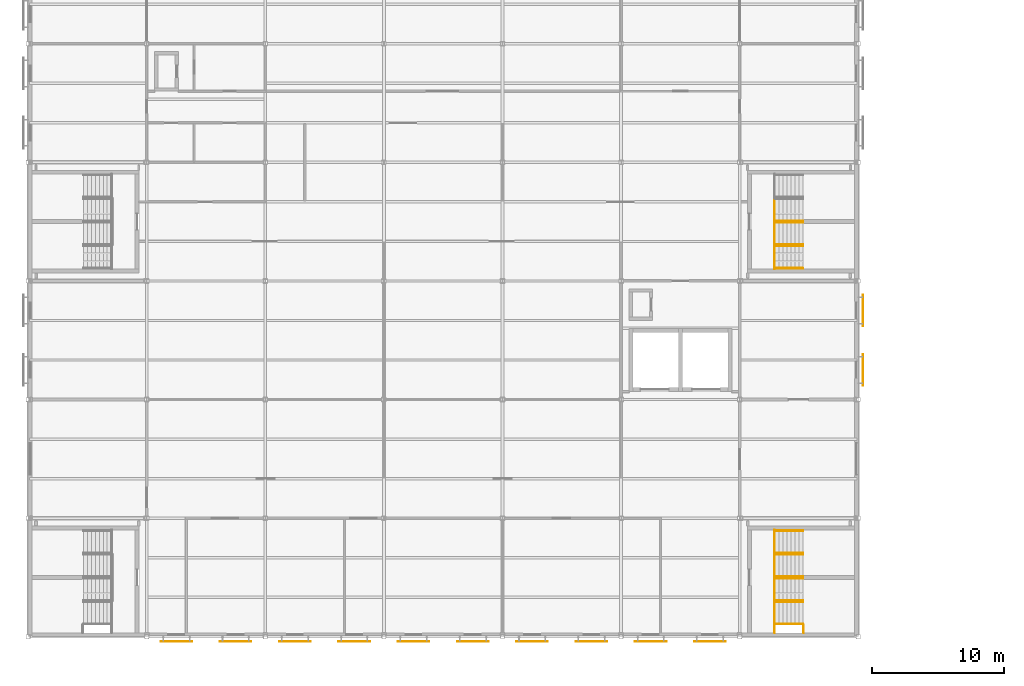
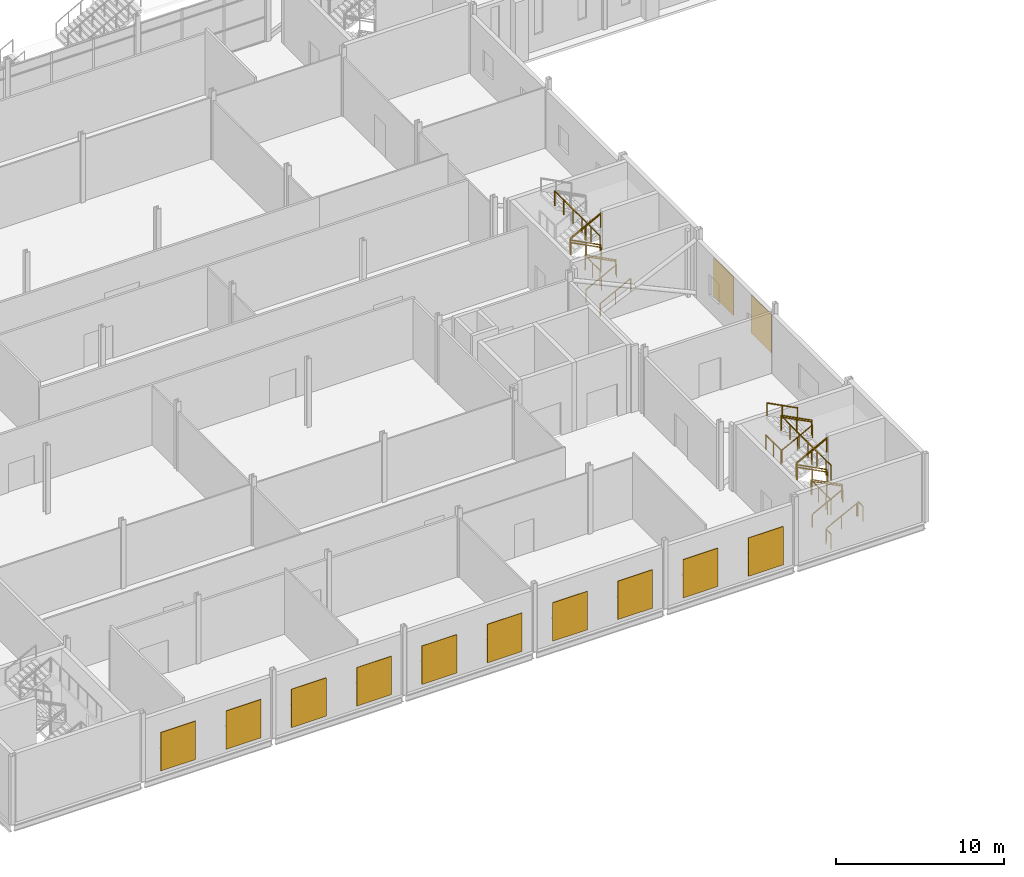
# One storey, part 107 of 112: 29 railings, 12 shading devices.
"""IFC4 building model written with IfcOpenShell, lengths in metres."""

from ifc_helpers import new_model, si_unit, direction, frame, origin, origin_2d, place, context, subcontext, project, spatial, rectangle, circle, extrude, material, layer, layer_set, type_object, element, save


model = new_model("IFC4")

# Units and contexts
model_context = context("Model", 3, precision=1e-05, world=origin(), true_north=direction((0.0, 1.0)))
body_context = subcontext(model_context, "Body", "Model", "MODEL_VIEW")
ifc_project = project(units=[si_unit("LENGTHUNIT", "METRE"), si_unit("AREAUNIT", "SQUARE_METRE"), si_unit("VOLUMEUNIT", "CUBIC_METRE"), si_unit("PLANEANGLEUNIT", "RADIAN"), si_unit("MASSUNIT", "GRAM", prefix="KILO")], contexts=[model_context])

# Site, building, storey
site_placement = place(None, origin())
site = spatial("IfcSite", under=ifc_project, at=site_placement, CompositionType="ELEMENT")
building_placement = place(site_placement, origin())
building = spatial("IfcBuilding", under=site, at=building_placement, Name="Shorebreak Coast Museum", CompositionType="ELEMENT")
storey_placement = place(building_placement, frame((0.0, 0.0, 6.0)))
storey = spatial("IfcBuildingStorey", under=building, at=storey_placement, Name="L01", CompositionType="ELEMENT", Elevation=6.0)

# Shading devices
ifc_material_1 = material(Name="Aluminium", Category="aluminium")
ifc_layer = layer(ifc_material_1, 0.0400390625)
ifc_layer_set = layer_set([ifc_layer], Name="Aluminium")
shading_device_type = type_object("IfcShadingDeviceType", Name="Perforated aluminium screen 2400 x 2800", PredefinedType="USERDEFINED", material=ifc_layer_set)
for number, where, z_axis, x_axis, name in (
    (1, (117.3701171875, 20.25, 0.5498046875), (0.0, 0.0, 1.0), (1.0, 0.0, 0.0), "Perforated screen L01 E1"),
    (2, (117.3701171875, 24.75, 0.5498046875), (0.0, 0.0, 1.0), (1.0, 0.0, 0.0), "Perforated screen L01 E2"),
):
    element("IfcShadingDevice", number, at=place(storey_placement, frame(where, z_axis=z_axis, x_axis=x_axis)), inside=storey, type_object=shading_device_type, Name=name, ObjectType="LOUVRE", PredefinedType="USERDEFINED", context=body_context, shape_type="SweptSolid", body=[
        extrude(rectangle(XDim=0.0400390625, YDim=2.39990234375, at=origin_2d()), origin(), (0.0, 0.0, 1.0), 2.800048828125),
    ])
for number, where, z_axis, x_axis, name in (
    (3, (65.25, -0.3701171875, 0.5498046875), (0.0, 0.0, 1.0), (1.0, 0.0, 0.0), "Perforated screen L01 S7"),
    (4, (69.75, -0.3701171875, 0.5498046875), (0.0, 0.0, 1.0), (1.0, 0.0, 0.0), "Perforated screen L01 S8"),
    (5, (74.25, -0.3701171875, 0.5498046875), (0.0, 0.0, 1.0), (1.0, 0.0, 0.0), "Perforated screen L01 S9"),
    (6, (78.75, -0.3701171875, 0.5498046875), (0.0, 0.0, 1.0), (1.0, 0.0, 0.0), "Perforated screen L01 S10"),
    (7, (83.25, -0.3701171875, 0.5498046875), (0.0, 0.0, 1.0), (1.0, 0.0, 0.0), "Perforated screen L01 S11"),
    (8, (87.75, -0.3701171875, 0.5498046875), (0.0, 0.0, 1.0), (1.0, 0.0, 0.0), "Perforated screen L01 S12"),
    (9, (92.25, -0.3701171875, 0.5498046875), (0.0, 0.0, 1.0), (1.0, 0.0, 0.0), "Perforated screen L01 S13"),
    (10, (96.75, -0.3701171875, 0.5498046875), (0.0, 0.0, 1.0), (1.0, 0.0, 0.0), "Perforated screen L01 S14"),
    (11, (101.25, -0.3701171875, 0.5498046875), (0.0, 0.0, 1.0), (1.0, 0.0, 0.0), "Perforated screen L01 S15"),
    (12, (105.75, -0.3701171875, 0.5498046875), (0.0, 0.0, 1.0), (1.0, 0.0, 0.0), "Perforated screen L01 S16"),
):
    element("IfcShadingDevice", number, at=place(storey_placement, frame(where, z_axis=z_axis, x_axis=x_axis)), inside=storey, type_object=shading_device_type, Name=name, ObjectType="LOUVRE", PredefinedType="USERDEFINED", context=body_context, shape_type="SweptSolid", body=[
        extrude(rectangle(XDim=2.39990234375, YDim=0.0400390625, at=origin_2d()), origin(), (0.0, 0.0, 1.0), 2.800048828125),
    ])

# Railings
ifc_material_2 = material(Name="Steel Grade 300", Category="steel")
railing_type_1 = type_object("IfcRailingType", Name="Stair guard 1100", PredefinedType="GUARDRAIL", material=ifc_material_2)
for number, where, name in (
    (13, (110.64990234375, 0.89990234375, 2.5), "Guard ST12 L01 landing mid1"),
    (14, (110.64990234375, 6.300048828125, 2.5), "Guard ST12 L01 landing mid1"),
):
    element("IfcRailing", number, at=place(storey_placement, frame(where)), inside=storey, type_object=railing_type_1, Name=name, PredefinedType="GUARDRAIL", context=body_context, shape_type="SweptSolid", body=[
        extrude(circle(Radius=0.02490234375, at=origin_2d()), frame((0.0, 0.0, 1.0751953125), z_axis=(0.0, 1.0, 0.0), x_axis=(-1.0, 0.0, 0.0)), (0.0, 0.0, 1.0), 1.800048828125),
        extrude(circle(Radius=0.02001953125, at=origin_2d()), origin(), (0.0, 0.0, 1.0), 1.050048828125),
        extrude(circle(Radius=0.02001953125, at=origin_2d()), frame((0.0, 0.89990234375, 0.0)), (0.0, 0.0, 1.0), 1.050048828125),
        extrude(circle(Radius=0.02001953125, at=origin_2d()), frame((0.0, 1.800048828125, 0.0)), (0.0, 0.0, 1.0), 1.050048828125),
    ])
railing_1_placement = place(storey_placement, frame((110.64990234375, 0.89990234375, 5.0)))
element("IfcRailing", 15, at=railing_1_placement, inside=storey, type_object=railing_type_1, Name="Guard ST12 L01 landing top", PredefinedType="GUARDRAIL", context=body_context, shape_type="SweptSolid", body=[
    extrude(circle(Radius=0.02490234375, at=origin_2d()), frame((0.0, 0.0, 1.0751953125), z_axis=(0.0, 1.0, 0.0), x_axis=(-1.0, 0.0, 0.0)), (0.0, 0.0, 1.0), 5.400146484375),
    extrude(circle(Radius=0.02001953125, at=origin_2d()), origin(), (0.0, 0.0, 1.0), 1.050048828125),
    extrude(circle(Radius=0.02001953125, at=origin_2d()), frame((0.0, 1.080078125, 0.0)), (0.0, 0.0, 1.0), 1.050048828125),
    extrude(circle(Radius=0.02001953125, at=origin_2d()), frame((0.0, 2.16015625, 0.0)), (0.0, 0.0, 1.0), 1.050048828125),
    extrude(circle(Radius=0.02001953125, at=origin_2d()), frame((0.0, 3.239990234375, 0.0)), (0.0, 0.0, 1.0), 1.050048828125),
    extrude(circle(Radius=0.02001953125, at=origin_2d()), frame((0.0, 4.320068359375, 0.0)), (0.0, 0.0, 1.0), 1.050048828125),
    extrude(circle(Radius=0.02001953125, at=origin_2d()), frame((0.0, 5.400146484375, 0.0)), (0.0, 0.0, 1.0), 1.050048828125),
])
for number, where, name in (
    (16, (110.64990234375, 0.300048828125, 0.0), "Guard ST12 L01 landing strip"),
    (17, (110.64990234375, 0.300048828125, 2.5), "Guard ST12 L01 landing strip"),
    (18, (112.85009765625, 0.300048828125, 1.25), "Guard ST12 L01 landing strip"),
    (19, (110.64990234375, 0.300048828125, 5.0), "Guard ST12 L01 landing strip"),
):
    element("IfcRailing", number, at=place(storey_placement, frame(where)), inside=storey, type_object=railing_type_1, Name=name, PredefinedType="GUARDRAIL", context=body_context, shape_type="SweptSolid", body=[
        extrude(circle(Radius=0.02490234375, at=origin_2d()), frame((0.0, 0.0, 1.0751953125), z_axis=(0.0, 1.0, 0.0), x_axis=(-1.0, 0.0, 0.0)), (0.0, 0.0, 1.0), 0.599853515625),
        extrude(circle(Radius=0.02001953125, at=origin_2d()), origin(), (0.0, 0.0, 1.0), 1.050048828125),
        extrude(circle(Radius=0.02001953125, at=origin_2d()), frame((0.0, 0.599853515625, 0.0)), (0.0, 0.0, 1.0), 1.050048828125),
    ])
for number, where, name in (
    (20, (112.800048828125, 2.699951171875, 1.40625), "Guard ST12-L01 well 1"),
    (21, (112.800048828125, 6.300048828125, 3.90625), "Guard ST12-L01 well 2"),
    (22, (112.800048828125, 4.5, 1.40625), "Guard ST12-L01 side 1"),
):
    element("IfcRailing", number, at=place(storey_placement, frame(where)), inside=storey, type_object=railing_type_1, Name=name, PredefinedType="GUARDRAIL", context=body_context, shape_type="SweptSolid", body=[
        extrude(circle(Radius=0.02490234375, at=origin_2d()), frame((0.0, 0.0, 1.0751953125), z_axis=(-0.8869228845, 0.0, 0.461917521804), x_axis=(0.0, -1.0, 0.0)), (0.0, 0.0, 1.0), 2.367919921875),
        extrude(circle(Radius=0.02001953125, at=origin_2d()), origin(), (0.0, 0.0, 1.0), 1.050048828125),
        extrude(circle(Radius=0.02001953125, at=origin_2d()), frame((-1.050048828125, 0.0, 0.546875)), (0.0, 0.0, 1.0), 1.050048828125),
        extrude(circle(Radius=0.02001953125, at=origin_2d()), frame((-2.10009765625, 0.0, 1.09375)), (0.0, 0.0, 1.0), 1.050048828125),
    ])
railing_2_placement = place(storey_placement, frame((110.699951171875, 4.5, 2.65625)))
element("IfcRailing", 23, at=railing_2_placement, inside=storey, type_object=railing_type_1, Name="Guard ST12-L01 side 2", PredefinedType="GUARDRAIL", context=body_context, shape_type="SweptSolid", body=[
    extrude(circle(Radius=0.02490234375, at=origin_2d()), frame((0.0, 0.0, 1.0751953125), z_axis=(0.8869228845, 0.0, 0.461917521804), x_axis=(0.0, 1.0, 0.0)), (0.0, 0.0, 1.0), 2.367919921875),
    extrude(circle(Radius=0.02001953125, at=origin_2d()), origin(), (0.0, 0.0, 1.0), 1.050048828125),
    extrude(circle(Radius=0.02001953125, at=origin_2d()), frame((1.050048828125, 0.0, 0.546875)), (0.0, 0.0, 1.0), 1.050048828125),
    extrude(circle(Radius=0.02001953125, at=origin_2d()), frame((2.10009765625, 0.0, 1.09375)), (0.0, 0.0, 1.0), 1.050048828125),
])
railing_3_placement = place(storey_placement, frame((110.64990234375, 27.89990234375, 2.5)))
element("IfcRailing", 24, at=railing_3_placement, inside=storey, type_object=railing_type_1, Name="Guard ST14 L01 landing mid1", PredefinedType="GUARDRAIL", context=body_context, shape_type="SweptSolid", body=[
    extrude(circle(Radius=0.02490234375, at=origin_2d()), frame((0.0, 0.0, 1.0751953125), z_axis=(0.0, 1.0, 0.0), x_axis=(-1.0, 0.0, 0.0)), (0.0, 0.0, 1.0), 1.800048828125),
    extrude(circle(Radius=0.02001953125, at=origin_2d()), origin(), (0.0, 0.0, 1.0), 1.050048828125),
    extrude(circle(Radius=0.02001953125, at=origin_2d()), frame((0.0, 0.89990234375, 0.0)), (0.0, 0.0, 1.0), 1.050048828125),
    extrude(circle(Radius=0.02001953125, at=origin_2d()), frame((0.0, 1.800048828125, 0.0)), (0.0, 0.0, 1.0), 1.050048828125),
])
railing_4_placement = place(storey_placement, frame((110.64990234375, 27.89990234375, 5.0)))
element("IfcRailing", 25, at=railing_4_placement, inside=storey, type_object=railing_type_1, Name="Guard ST14 L01 landing top", PredefinedType="GUARDRAIL", context=body_context, shape_type="SweptSolid", body=[
    extrude(circle(Radius=0.02490234375, at=origin_2d()), frame((0.0, 0.0, 1.0751953125), z_axis=(0.0, 1.0, 0.0), x_axis=(-1.0, 0.0, 0.0)), (0.0, 0.0, 1.0), 5.400146484375),
    extrude(circle(Radius=0.02001953125, at=origin_2d()), origin(), (0.0, 0.0, 1.0), 1.050048828125),
    extrude(circle(Radius=0.02001953125, at=origin_2d()), frame((0.0, 1.080078125, 0.0)), (0.0, 0.0, 1.0), 1.050048828125),
    extrude(circle(Radius=0.02001953125, at=origin_2d()), frame((0.0, 2.16015625, 0.0)), (0.0, 0.0, 1.0), 1.050048828125),
    extrude(circle(Radius=0.02001953125, at=origin_2d()), frame((0.0, 3.239990234375, 0.0)), (0.0, 0.0, 1.0), 1.050048828125),
    extrude(circle(Radius=0.02001953125, at=origin_2d()), frame((0.0, 4.320068359375, 0.0)), (0.0, 0.0, 1.0), 1.050048828125),
    extrude(circle(Radius=0.02001953125, at=origin_2d()), frame((0.0, 5.400146484375, 0.0)), (0.0, 0.0, 1.0), 1.050048828125),
])
for number, where, name in (
    (26, (112.800048828125, 29.699951171875, 1.40625), "Guard ST14-L01 well 1"),
    (27, (112.800048828125, 31.5, 1.40625), "Guard ST14-L01 side 1"),
):
    element("IfcRailing", number, at=place(storey_placement, frame(where)), inside=storey, type_object=railing_type_1, Name=name, PredefinedType="GUARDRAIL", context=body_context, shape_type="SweptSolid", body=[
        extrude(circle(Radius=0.02490234375, at=origin_2d()), frame((0.0, 0.0, 1.0751953125), z_axis=(-0.8869228845, 0.0, 0.461917521804), x_axis=(0.0, -1.0, 0.0)), (0.0, 0.0, 1.0), 2.367919921875),
        extrude(circle(Radius=0.02001953125, at=origin_2d()), origin(), (0.0, 0.0, 1.0), 1.050048828125),
        extrude(circle(Radius=0.02001953125, at=origin_2d()), frame((-1.050048828125, 0.0, 0.546875)), (0.0, 0.0, 1.0), 1.050048828125),
        extrude(circle(Radius=0.02001953125, at=origin_2d()), frame((-2.10009765625, 0.0, 1.09375)), (0.0, 0.0, 1.0), 1.050048828125),
    ])
railing_5_placement = place(storey_placement, frame((110.699951171875, 31.5, 2.65625)))
element("IfcRailing", 28, at=railing_5_placement, inside=storey, type_object=railing_type_1, Name="Guard ST14-L01 side 2", PredefinedType="GUARDRAIL", context=body_context, shape_type="SweptSolid", body=[
    extrude(circle(Radius=0.02490234375, at=origin_2d()), frame((0.0, 0.0, 1.0751953125), z_axis=(0.8869228845, 0.0, 0.461917521804), x_axis=(0.0, 1.0, 0.0)), (0.0, 0.0, 1.0), 2.367919921875),
    extrude(circle(Radius=0.02001953125, at=origin_2d()), origin(), (0.0, 0.0, 1.0), 1.050048828125),
    extrude(circle(Radius=0.02001953125, at=origin_2d()), frame((1.050048828125, 0.0, 0.546875)), (0.0, 0.0, 1.0), 1.050048828125),
    extrude(circle(Radius=0.02001953125, at=origin_2d()), frame((2.10009765625, 0.0, 1.09375)), (0.0, 0.0, 1.0), 1.050048828125),
])
ifc_material_3 = material(Name="Steel Grade 300", Category="steel")
railing_type_2 = type_object("IfcRailingType", Name="Stair handrail 950", PredefinedType="HANDRAIL", material=ifc_material_3)
for number, where, name in (
    (29, (110.699951171875, 0.9599609375, 0.15625), "Handrail ST12-L01 flight 1a"),
    (30, (110.699951171875, 2.639892578125, 0.15625), "Handrail ST12-L01 flight 1b"),
):
    element("IfcRailing", number, at=place(storey_placement, frame(where)), inside=storey, type_object=railing_type_2, Name=name, PredefinedType="HANDRAIL", context=body_context, shape_type="SweptSolid", body=[
        extrude(circle(Radius=0.02490234375, at=origin_2d()), frame((0.0, 0.0, 0.9248046875), z_axis=(0.8869228845, 0.0, 0.461917521804), x_axis=(0.0, 1.0, 0.0)), (0.0, 0.0, 1.0), 2.367919921875),
        extrude(circle(Radius=0.02001953125, at=origin_2d()), origin(), (0.0, 0.0, 1.0), 0.89990234375),
        extrude(circle(Radius=0.02001953125, at=origin_2d()), frame((1.050048828125, 0.0, 0.546875)), (0.0, 0.0, 1.0), 0.89990234375),
        extrude(circle(Radius=0.02001953125, at=origin_2d()), frame((2.10009765625, 0.0, 1.09375)), (0.0, 0.0, 1.0), 0.89990234375),
    ])
for number, where, name in (
    (31, (112.800048828125, 2.760009765625, 1.40625), "Handrail ST12-L01 flight 2a"),
    (32, (112.800048828125, 4.43994140625, 1.40625), "Handrail ST12-L01 flight 2b"),
):
    element("IfcRailing", number, at=place(storey_placement, frame(where)), inside=storey, type_object=railing_type_2, Name=name, PredefinedType="HANDRAIL", context=body_context, shape_type="SweptSolid", body=[
        extrude(circle(Radius=0.02490234375, at=origin_2d()), frame((0.0, 0.0, 0.9248046875), z_axis=(-0.8869228845, 0.0, 0.461917521804), x_axis=(0.0, -1.0, 0.0)), (0.0, 0.0, 1.0), 2.367919921875),
        extrude(circle(Radius=0.02001953125, at=origin_2d()), origin(), (0.0, 0.0, 1.0), 0.89990234375),
        extrude(circle(Radius=0.02001953125, at=origin_2d()), frame((-1.050048828125, 0.0, 0.546875)), (0.0, 0.0, 1.0), 0.89990234375),
        extrude(circle(Radius=0.02001953125, at=origin_2d()), frame((-2.10009765625, 0.0, 1.09375)), (0.0, 0.0, 1.0), 0.89990234375),
    ])
for number, where, name in (
    (33, (110.699951171875, 4.56005859375, 2.65625), "Handrail ST12-L01 flight 3a"),
    (34, (110.699951171875, 6.239990234375, 2.65625), "Handrail ST12-L01 flight 3b"),
):
    element("IfcRailing", number, at=place(storey_placement, frame(where)), inside=storey, type_object=railing_type_2, Name=name, PredefinedType="HANDRAIL", context=body_context, shape_type="SweptSolid", body=[
        extrude(circle(Radius=0.02490234375, at=origin_2d()), frame((0.0, 0.0, 0.9248046875), z_axis=(0.8869228845, 0.0, 0.461917521804), x_axis=(0.0, 1.0, 0.0)), (0.0, 0.0, 1.0), 2.367919921875),
        extrude(circle(Radius=0.02001953125, at=origin_2d()), origin(), (0.0, 0.0, 1.0), 0.89990234375),
        extrude(circle(Radius=0.02001953125, at=origin_2d()), frame((1.050048828125, 0.0, 0.546875)), (0.0, 0.0, 1.0), 0.89990234375),
        extrude(circle(Radius=0.02001953125, at=origin_2d()), frame((2.10009765625, 0.0, 1.09375)), (0.0, 0.0, 1.0), 0.89990234375),
    ])
for number, where, name in (
    (35, (112.800048828125, 6.360107421875, 3.90625), "Handrail ST12-L01 flight 4a"),
    (36, (112.800048828125, 8.0400390625, 3.90625), "Handrail ST12-L01 flight 4b"),
):
    element("IfcRailing", number, at=place(storey_placement, frame(where)), inside=storey, type_object=railing_type_2, Name=name, PredefinedType="HANDRAIL", context=body_context, shape_type="SweptSolid", body=[
        extrude(circle(Radius=0.02490234375, at=origin_2d()), frame((0.0, 0.0, 0.9248046875), z_axis=(-0.8869228845, 0.0, 0.461917521804), x_axis=(0.0, -1.0, 0.0)), (0.0, 0.0, 1.0), 2.367919921875),
        extrude(circle(Radius=0.02001953125, at=origin_2d()), origin(), (0.0, 0.0, 1.0), 0.89990234375),
        extrude(circle(Radius=0.02001953125, at=origin_2d()), frame((-1.050048828125, 0.0, 0.546875)), (0.0, 0.0, 1.0), 0.89990234375),
        extrude(circle(Radius=0.02001953125, at=origin_2d()), frame((-2.10009765625, 0.0, 1.09375)), (0.0, 0.0, 1.0), 0.89990234375),
    ])
for number, where, name in (
    (37, (110.699951171875, 27.9599609375, 0.15625), "Handrail ST14-L01 flight 1a"),
    (38, (110.699951171875, 29.639892578125, 0.15625), "Handrail ST14-L01 flight 1b"),
):
    element("IfcRailing", number, at=place(storey_placement, frame(where)), inside=storey, type_object=railing_type_2, Name=name, PredefinedType="HANDRAIL", context=body_context, shape_type="SweptSolid", body=[
        extrude(circle(Radius=0.02490234375, at=origin_2d()), frame((0.0, 0.0, 0.9248046875), z_axis=(0.8869228845, 0.0, 0.461917521804), x_axis=(0.0, 1.0, 0.0)), (0.0, 0.0, 1.0), 2.367919921875),
        extrude(circle(Radius=0.02001953125, at=origin_2d()), origin(), (0.0, 0.0, 1.0), 0.89990234375),
        extrude(circle(Radius=0.02001953125, at=origin_2d()), frame((1.050048828125, 0.0, 0.546875)), (0.0, 0.0, 1.0), 0.89990234375),
        extrude(circle(Radius=0.02001953125, at=origin_2d()), frame((2.10009765625, 0.0, 1.09375)), (0.0, 0.0, 1.0), 0.89990234375),
    ])
for number, where, name in (
    (39, (112.800048828125, 29.760009765625, 1.40625), "Handrail ST14-L01 flight 2a"),
    (40, (112.800048828125, 31.43994140625, 1.40625), "Handrail ST14-L01 flight 2b"),
):
    element("IfcRailing", number, at=place(storey_placement, frame(where)), inside=storey, type_object=railing_type_2, Name=name, PredefinedType="HANDRAIL", context=body_context, shape_type="SweptSolid", body=[
        extrude(circle(Radius=0.02490234375, at=origin_2d()), frame((0.0, 0.0, 0.9248046875), z_axis=(-0.8869228845, 0.0, 0.461917521804), x_axis=(0.0, -1.0, 0.0)), (0.0, 0.0, 1.0), 2.367919921875),
        extrude(circle(Radius=0.02001953125, at=origin_2d()), origin(), (0.0, 0.0, 1.0), 0.89990234375),
        extrude(circle(Radius=0.02001953125, at=origin_2d()), frame((-1.050048828125, 0.0, 0.546875)), (0.0, 0.0, 1.0), 0.89990234375),
        extrude(circle(Radius=0.02001953125, at=origin_2d()), frame((-2.10009765625, 0.0, 1.09375)), (0.0, 0.0, 1.0), 0.89990234375),
    ])
railing_6_placement = place(storey_placement, frame((110.699951171875, 31.56005859375, 2.65625)))
element("IfcRailing", 41, at=railing_6_placement, inside=storey, type_object=railing_type_2, Name="Handrail ST14-L01 flight 3a", PredefinedType="HANDRAIL", context=body_context, shape_type="SweptSolid", body=[
    extrude(circle(Radius=0.02490234375, at=origin_2d()), frame((0.0, 0.0, 0.9248046875), z_axis=(0.8869228845, 0.0, 0.461917521804), x_axis=(0.0, 1.0, 0.0)), (0.0, 0.0, 1.0), 2.367919921875),
    extrude(circle(Radius=0.02001953125, at=origin_2d()), origin(), (0.0, 0.0, 1.0), 0.89990234375),
    extrude(circle(Radius=0.02001953125, at=origin_2d()), frame((1.050048828125, 0.0, 0.546875)), (0.0, 0.0, 1.0), 0.89990234375),
    extrude(circle(Radius=0.02001953125, at=origin_2d()), frame((2.10009765625, 0.0, 1.09375)), (0.0, 0.0, 1.0), 0.89990234375),
])

save(model, "model.ifc")
